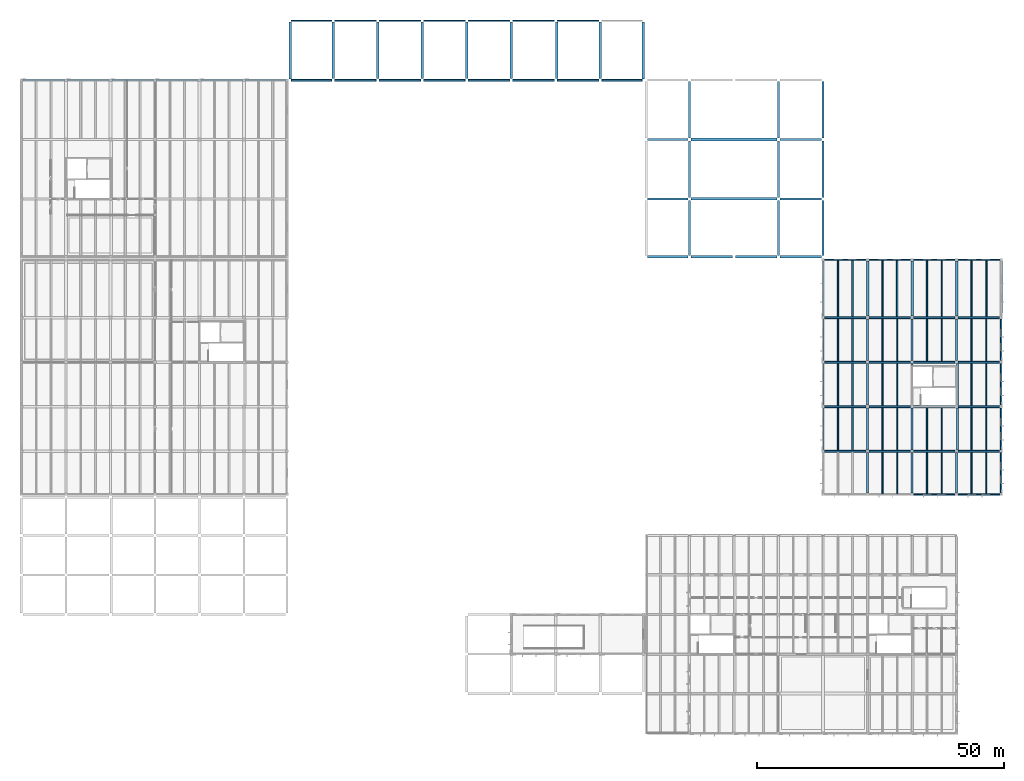
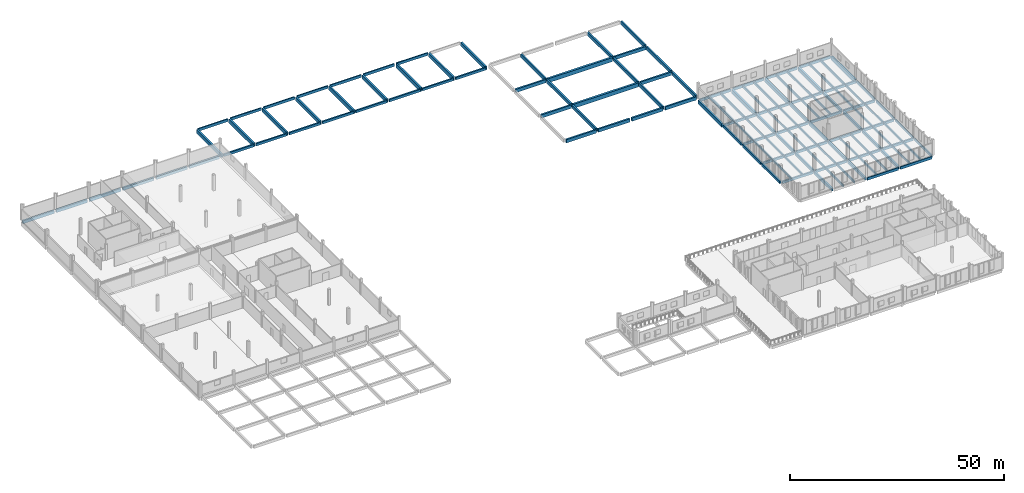
# One storey, part 6 of 25: 131 beams.
"""IFC4 building model written with IfcOpenShell, lengths in metres."""

from ifc_helpers import new_model, si_unit, direction, frame, origin, origin_2d, place, context, subcontext, project, spatial, rectangle, extrude, material, material_profile, profile_set, type_object, element, save


model = new_model("IFC4")

# Units and contexts
model_context = context("Model", 3, precision=1e-05, world=origin(), true_north=direction((0.0, 1.0)))
body_context = subcontext(model_context, "Body", "Model", "MODEL_VIEW")
ifc_project = project(units=[si_unit("LENGTHUNIT", "METRE"), si_unit("AREAUNIT", "SQUARE_METRE"), si_unit("VOLUMEUNIT", "CUBIC_METRE"), si_unit("PLANEANGLEUNIT", "RADIAN"), si_unit("MASSUNIT", "GRAM", prefix="KILO")], contexts=[model_context])

# Site, building, storey
site_placement = place(None, origin())
site = spatial("IfcSite", under=ifc_project, at=site_placement, CompositionType="ELEMENT")
building_placement = place(site_placement, origin())
building = spatial("IfcBuilding", under=site, at=building_placement, Name="Zacnel Wholesale Market", CompositionType="ELEMENT")
storey_placement = place(building_placement, frame((0.0, 0.0, 15.75)))
storey = spatial("IfcBuildingStorey", under=building, at=storey_placement, Name="L04", CompositionType="ELEMENT", Elevation=15.75)

# Beams
ifc_material_1 = material(Name="Precast concrete C45/55", Category="concrete")
ifc_material_profile_1 = material_profile(ifc_material_1, rectangle(XDim=0.280029296875, YDim=0.60009765625, at=origin_2d()), Name="DT RIB 280x600")
ifc_profile_set_1 = profile_set([ifc_material_profile_1], Name="Precast concrete C45/55")
beam_type_1 = type_object("IfcBeamType", Name="BM-DT600", PredefinedType="JOIST", material=ifc_profile_set_1)
for number, where, z_axis, x_axis, name in (
    (1, (192.0, 48.449951171875, -0.580078125), (0.0, 1.0, 0.0), (-1.0, 0.0, 0.0), "Precast secondary joist L04-0673"),
    (2, (195.0, 48.449951171875, -0.580078125), (0.0, 1.0, 0.0), (-1.0, 0.0, 0.0), "Precast secondary joist L04-0674"),
    (3, (201.0, 48.449951171875, -0.580078125), (0.0, 1.0, 0.0), (-1.0, 0.0, 0.0), "Precast secondary joist L04-0675"),
    (4, (204.0, 48.449951171875, -0.580078125), (0.0, 1.0, 0.0), (-1.0, 0.0, 0.0), "Precast secondary joist L04-0676"),
    (5, (210.0, 48.449951171875, -0.580078125), (0.0, 1.0, 0.0), (-1.0, 0.0, 0.0), "Precast secondary joist L04-0677"),
    (6, (213.0, 48.449951171875, -0.580078125), (0.0, 1.0, 0.0), (-1.0, 0.0, 0.0), "Precast secondary joist L04-0678"),
):
    element("IfcBeam", number, at=place(storey_placement, frame(where, z_axis=z_axis, x_axis=x_axis)), inside=storey, type_object=beam_type_1, Name=name, PredefinedType="JOIST", context=body_context, shape_type="SweptSolid", body=[
        extrude(rectangle(XDim=0.280029296875, YDim=0.60009765625, at=origin_2d()), origin(), (0.0, 0.0, 1.0), 8.35009765625),
    ])
for number, where, z_axis, x_axis, name in (
    (7, (183.0, 57.199951171875, -0.580078125), (0.0, 1.0, 0.0), (-1.0, 0.0, 0.0), "Precast secondary joist L04-0691"),
    (8, (186.0, 57.199951171875, -0.580078125), (0.0, 1.0, 0.0), (-1.0, 0.0, 0.0), "Precast secondary joist L04-0692"),
    (9, (192.0, 57.199951171875, -0.580078125), (0.0, 1.0, 0.0), (-1.0, 0.0, 0.0), "Precast secondary joist L04-0693"),
    (10, (195.0, 57.199951171875, -0.580078125), (0.0, 1.0, 0.0), (-1.0, 0.0, 0.0), "Precast secondary joist L04-0694"),
    (11, (201.0, 57.199951171875, -0.580078125), (0.0, 1.0, 0.0), (-1.0, 0.0, 0.0), "Precast secondary joist L04-0695"),
    (12, (204.0, 57.199951171875, -0.580078125), (0.0, 1.0, 0.0), (-1.0, 0.0, 0.0), "Precast secondary joist L04-0696"),
    (13, (210.0, 57.199951171875, -0.580078125), (0.0, 1.0, 0.0), (-1.0, 0.0, 0.0), "Precast secondary joist L04-0697"),
    (14, (213.0, 57.199951171875, -0.580078125), (0.0, 1.0, 0.0), (-1.0, 0.0, 0.0), "Precast secondary joist L04-0698"),
    (15, (183.0, 66.199951171875, -0.580078125), (0.0, 1.0, 0.0), (-1.0, 0.0, 0.0), "Precast secondary joist L04-0711"),
    (16, (186.0, 66.199951171875, -0.580078125), (0.0, 1.0, 0.0), (-1.0, 0.0, 0.0), "Precast secondary joist L04-0712"),
    (17, (192.0, 66.199951171875, -0.580078125), (0.0, 1.0, 0.0), (-1.0, 0.0, 0.0), "Precast secondary joist L04-0713"),
    (18, (195.0, 66.199951171875, -0.580078125), (0.0, 1.0, 0.0), (-1.0, 0.0, 0.0), "Precast secondary joist L04-0714"),
    (19, (210.0, 66.199951171875, -0.580078125), (0.0, 1.0, 0.0), (-1.0, 0.0, 0.0), "Precast secondary joist L04-0715"),
    (20, (213.0, 66.199951171875, -0.580078125), (0.0, 1.0, 0.0), (-1.0, 0.0, 0.0), "Precast secondary joist L04-0716"),
    (21, (183.0, 75.199951171875, -0.580078125), (0.0, 1.0, 0.0), (-1.0, 0.0, 0.0), "Precast secondary joist L04-0727"),
    (22, (186.0, 75.199951171875, -0.580078125), (0.0, 1.0, 0.0), (-1.0, 0.0, 0.0), "Precast secondary joist L04-0728"),
    (23, (192.0, 75.199951171875, -0.580078125), (0.0, 1.0, 0.0), (-1.0, 0.0, 0.0), "Precast secondary joist L04-0729"),
    (24, (195.0, 75.199951171875, -0.580078125), (0.0, 1.0, 0.0), (-1.0, 0.0, 0.0), "Precast secondary joist L04-0730"),
    (25, (201.0, 75.199951171875, -0.580078125), (0.0, 1.0, 0.0), (-1.0, 0.0, 0.0), "Precast secondary joist L04-0731"),
    (26, (204.0, 75.199951171875, -0.580078125), (0.0, 1.0, 0.0), (-1.0, 0.0, 0.0), "Precast secondary joist L04-0732"),
    (27, (210.0, 75.199951171875, -0.580078125), (0.0, 1.0, 0.0), (-1.0, 0.0, 0.0), "Precast secondary joist L04-0733"),
    (28, (213.0, 75.199951171875, -0.580078125), (0.0, 1.0, 0.0), (-1.0, 0.0, 0.0), "Precast secondary joist L04-0734"),
):
    element("IfcBeam", number, at=place(storey_placement, frame(where, z_axis=z_axis, x_axis=x_axis)), inside=storey, type_object=beam_type_1, Name=name, PredefinedType="JOIST", context=body_context, shape_type="SweptSolid", body=[
        extrude(rectangle(XDim=0.280029296875, YDim=0.60009765625, at=origin_2d()), origin(), (0.0, 0.0, 1.0), 8.60009765625),
    ])
ifc_material_2 = material(Name="Precast concrete C45/55", Category="concrete")
ifc_material_profile_2 = material_profile(ifc_material_2, rectangle(XDim=0.300048828125, YDim=0.699951171875, at=origin_2d()), Name="DT RIB 300x700")
ifc_profile_set_2 = profile_set([ifc_material_profile_2], Name="Precast concrete C45/55")
beam_type_2 = type_object("IfcBeamType", Name="BM-DT700", PredefinedType="JOIST", material=ifc_profile_set_2)
for number, where, z_axis, x_axis, name in (
    (29, (183.0, 84.199951171875, -0.6298828125), (0.0, 1.0, 0.0), (-1.0, 0.0, 0.0), "Precast secondary joist L04-0747"),
    (30, (186.0, 84.199951171875, -0.6298828125), (0.0, 1.0, 0.0), (-1.0, 0.0, 0.0), "Precast secondary joist L04-0748"),
    (31, (192.0, 84.199951171875, -0.6298828125), (0.0, 1.0, 0.0), (-1.0, 0.0, 0.0), "Precast secondary joist L04-0749"),
    (32, (195.0, 84.199951171875, -0.6298828125), (0.0, 1.0, 0.0), (-1.0, 0.0, 0.0), "Precast secondary joist L04-0750"),
    (33, (201.0, 84.199951171875, -0.6298828125), (0.0, 1.0, 0.0), (-1.0, 0.0, 0.0), "Precast secondary joist L04-0751"),
    (34, (204.0, 84.199951171875, -0.6298828125), (0.0, 1.0, 0.0), (-1.0, 0.0, 0.0), "Precast secondary joist L04-0752"),
    (35, (210.0, 84.199951171875, -0.6298828125), (0.0, 1.0, 0.0), (-1.0, 0.0, 0.0), "Precast secondary joist L04-0753"),
    (36, (213.0, 84.199951171875, -0.6298828125), (0.0, 1.0, 0.0), (-1.0, 0.0, 0.0), "Precast secondary joist L04-0754"),
):
    element("IfcBeam", number, at=place(storey_placement, frame(where, z_axis=z_axis, x_axis=x_axis)), inside=storey, type_object=beam_type_2, Name=name, PredefinedType="JOIST", context=body_context, shape_type="SweptSolid", body=[
        extrude(rectangle(XDim=0.300048828125, YDim=0.699951171875, at=origin_2d()), origin(), (0.0, 0.0, 1.0), 11.35009765625),
    ])
ifc_material_3 = material(Name="Precast concrete C45/55", Category="concrete")
ifc_material_profile_3 = material_profile(ifc_material_3, rectangle(XDim=0.5, YDim=1.050048828125, at=origin_2d()), Name="PG 500x1050")
ifc_profile_set_3 = profile_set([ifc_material_profile_3], Name="Precast concrete C45/55")
beam_type_3 = type_object("IfcBeamType", Name="BM-PG1050", PredefinedType="T_BEAM", material=ifc_profile_set_3)
beam_1_placement = place(storey_placement, frame((72.300048828125, 132.27490234375, -0.824951171875), z_axis=(0.0, 1.0, 0.0), x_axis=(-1.0, 0.0, 0.0)))
element("IfcBeam", 37, at=beam_1_placement, inside=storey, type_object=beam_type_3, Name="Precast girder Y-1252", PredefinedType="T_BEAM", context=body_context, shape_type="SweptSolid", body=[
    extrude(rectangle(XDim=0.5, YDim=1.050048828125, at=origin_2d()), origin(), (0.0, 0.0, 1.0), 11.4501953125),
])
for number, where, z_axis, x_axis, name in (
    (38, (81.0, 132.300048828125, -0.824951171875), (0.0, 1.0, 0.0), (-1.0, 0.0, 0.0), "Precast girder Y-1253"),
    (39, (90.0, 132.300048828125, -0.824951171875), (0.0, 1.0, 0.0), (-1.0, 0.0, 0.0), "Precast girder Y-1254"),
    (40, (99.0, 132.300048828125, -0.824951171875), (0.0, 1.0, 0.0), (-1.0, 0.0, 0.0), "Precast girder Y-1255"),
    (41, (108.0, 132.300048828125, -0.824951171875), (0.0, 1.0, 0.0), (-1.0, 0.0, 0.0), "Precast girder Y-1256"),
    (42, (117.0, 132.300048828125, -0.824951171875), (0.0, 1.0, 0.0), (-1.0, 0.0, 0.0), "Precast girder Y-1257"),
    (43, (126.179931640625, 132.300048828125, -0.824951171875), (0.0, 1.0, 0.0), (-1.0, 0.0, 0.0), "Precast girder Y-1258"),
    (44, (135.0, 132.300048828125, -0.824951171875), (0.0, 1.0, 0.0), (-1.0, 0.0, 0.0), "Precast girder Y-1259"),
):
    element("IfcBeam", number, at=place(storey_placement, frame(where, z_axis=z_axis, x_axis=x_axis)), inside=storey, type_object=beam_type_3, Name=name, PredefinedType="T_BEAM", context=body_context, shape_type="SweptSolid", body=[
        extrude(rectangle(XDim=0.5, YDim=1.050048828125, at=origin_2d()), origin(), (0.0, 0.0, 1.0), 11.39990234375),
    ])
beam_2_placement = place(storey_placement, frame((143.699951171875, 132.27490234375, -0.824951171875), z_axis=(0.0, 1.0, 0.0), x_axis=(-1.0, 0.0, 0.0)))
element("IfcBeam", 45, at=beam_2_placement, inside=storey, type_object=beam_type_3, Name="Precast girder Y-1260", PredefinedType="T_BEAM", context=body_context, shape_type="SweptSolid", body=[
    extrude(rectangle(XDim=0.5, YDim=1.050048828125, at=origin_2d()), origin(), (0.0, 0.0, 1.0), 11.4501953125),
])
for number, where, z_axis, x_axis, name in (
    (46, (180.0, 84.300048828125, -0.804931640625), (0.0, 1.0, 0.0), (-1.0, 0.0, 0.0), "Precast girder Y-1289"),
    (47, (189.0, 84.300048828125, -0.804931640625), (0.0, 1.0, 0.0), (-1.0, 0.0, 0.0), "Precast girder Y-1299"),
    (48, (198.0, 84.300048828125, -0.804931640625), (0.0, 1.0, 0.0), (-1.0, 0.0, 0.0), "Precast girder Y-1309"),
    (49, (207.0, 84.300048828125, -0.804931640625), (0.0, 1.0, 0.0), (-1.0, 0.0, 0.0), "Precast girder Y-1319"),
    (50, (216.0, 84.300048828125, -0.804931640625), (0.0, 1.0, 0.0), (-1.0, 0.0, 0.0), "Precast girder Y-1324"),
):
    element("IfcBeam", number, at=place(storey_placement, frame(where, z_axis=z_axis, x_axis=x_axis)), inside=storey, type_object=beam_type_3, Name=name, PredefinedType="T_BEAM", context=body_context, shape_type="SweptSolid", body=[
        extrude(rectangle(XDim=0.5, YDim=1.050048828125, at=origin_2d()), origin(), (0.0, 0.0, 1.0), 11.125),
    ])
ifc_material_4 = material(Name="Precast concrete C45/55", Category="concrete")
ifc_material_profile_4 = material_profile(ifc_material_4, rectangle(XDim=0.550048828125, YDim=1.14990234375, at=origin_2d()), Name="PG 550x1150")
ifc_profile_set_4 = profile_set([ifc_material_profile_4], Name="Precast concrete C45/55")
beam_type_4 = type_object("IfcBeamType", Name="BM-PG1150", PredefinedType="T_BEAM", material=ifc_profile_set_4)
for number, where, z_axis, x_axis, name in (
    (51, (153.280029296875, 108.0, -0.22509765625), (1.0, 0.0, 0.0), (0.0, 1.0, 0.0), "Crossing drum collar girder X-06"),
    (52, (153.280029296875, 120.0, -0.22509765625), (1.0, 0.0, 0.0), (0.0, 1.0, 0.0), "Crossing drum collar girder X-09"),
):
    element("IfcBeam", number, at=place(storey_placement, frame(where, z_axis=z_axis, x_axis=x_axis)), inside=storey, type_object=beam_type_4, Name=name, PredefinedType="T_BEAM", context=body_context, shape_type="SweptSolid", body=[
        extrude(rectangle(XDim=0.550048828125, YDim=1.14990234375, at=origin_2d()), origin(), (0.0, 0.0, 1.0), 17.43994140625),
    ])
ifc_material_5 = material(Name="Precast concrete C45/55", Category="concrete")
ifc_material_profile_5 = material_profile(ifc_material_5, rectangle(XDim=0.39990234375, YDim=0.699951171875, at=origin_2d()), Name="PG 400x700")
ifc_profile_set_5 = profile_set([ifc_material_profile_5], Name="Precast concrete C45/55")
beam_type_5 = type_object("IfcBeamType", Name="BM-PG700", PredefinedType="BEAM", material=ifc_profile_set_5)
for number, where, z_axis, x_axis, name in (
    (53, (180.300048828125, 57.0, -0.6298828125), (1.0, 0.0, 0.0), (0.0, 1.0, 0.0), "Precast girder X-1091"),
    (54, (189.300048828125, 57.0, -0.6298828125), (1.0, 0.0, 0.0), (0.0, 1.0, 0.0), "Precast girder X-1092"),
    (55, (198.300048828125, 57.0, -0.6298828125), (1.0, 0.0, 0.0), (0.0, 1.0, 0.0), "Precast girder X-1093"),
    (56, (207.300048828125, 57.0, -0.6298828125), (1.0, 0.0, 0.0), (0.0, 1.0, 0.0), "Precast girder X-1094"),
    (57, (180.300048828125, 66.0, -0.6298828125), (1.0, 0.0, 0.0), (0.0, 1.0, 0.0), "Precast girder X-1101"),
    (58, (189.300048828125, 66.0, -0.6298828125), (1.0, 0.0, 0.0), (0.0, 1.0, 0.0), "Precast girder X-1102"),
    (59, (198.300048828125, 66.0, -0.6298828125), (1.0, 0.0, 0.0), (0.0, 1.0, 0.0), "Precast girder X-1103"),
    (60, (207.300048828125, 66.0, -0.6298828125), (1.0, 0.0, 0.0), (0.0, 1.0, 0.0), "Precast girder X-1104"),
    (61, (180.300048828125, 75.0, -0.6298828125), (1.0, 0.0, 0.0), (0.0, 1.0, 0.0), "Precast girder X-1111"),
    (62, (189.300048828125, 75.0, -0.6298828125), (1.0, 0.0, 0.0), (0.0, 1.0, 0.0), "Precast girder X-1112"),
    (63, (198.300048828125, 75.0, -0.6298828125), (1.0, 0.0, 0.0), (0.0, 1.0, 0.0), "Precast girder X-1113"),
    (64, (207.300048828125, 75.0, -0.6298828125), (1.0, 0.0, 0.0), (0.0, 1.0, 0.0), "Precast girder X-1114"),
    (65, (180.300048828125, 84.0, -0.6298828125), (1.0, 0.0, 0.0), (0.0, 1.0, 0.0), "Precast girder X-1121"),
    (66, (189.300048828125, 84.0, -0.6298828125), (1.0, 0.0, 0.0), (0.0, 1.0, 0.0), "Precast girder X-1122"),
    (67, (198.300048828125, 84.0, -0.6298828125), (1.0, 0.0, 0.0), (0.0, 1.0, 0.0), "Precast girder X-1123"),
    (68, (207.300048828125, 84.0, -0.6298828125), (1.0, 0.0, 0.0), (0.0, 1.0, 0.0), "Precast girder X-1124"),
):
    element("IfcBeam", number, at=place(storey_placement, frame(where, z_axis=z_axis, x_axis=x_axis)), inside=storey, type_object=beam_type_5, Name=name, PredefinedType="BEAM", context=body_context, shape_type="SweptSolid", body=[
        extrude(rectangle(XDim=0.39990234375, YDim=0.699951171875, at=origin_2d()), origin(), (0.0, 0.0, 1.0), 8.39990234375),
    ])
beam_3_placement = place(storey_placement, frame((72.574951171875, 132.0, -0.64990234375), z_axis=(1.0, 0.0, 0.0), x_axis=(0.0, 1.0, 0.0)))
element("IfcBeam", 69, at=beam_3_placement, inside=storey, type_object=beam_type_5, Name="Precast girder X-1159", PredefinedType="BEAM", context=body_context, shape_type="SweptSolid", body=[
    extrude(rectangle(XDim=0.39990234375, YDim=0.699951171875, at=origin_2d()), origin(), (0.0, 0.0, 1.0), 8.125),
])
for number, where, z_axis, x_axis, name in (
    (70, (81.300048828125, 132.0, -0.64990234375), (1.0, 0.0, 0.0), (0.0, 1.0, 0.0), "Precast girder X-1160"),
    (71, (90.300048828125, 132.0, -0.64990234375), (1.0, 0.0, 0.0), (0.0, 1.0, 0.0), "Precast girder X-1161"),
    (72, (99.300048828125, 132.0, -0.64990234375), (1.0, 0.0, 0.0), (0.0, 1.0, 0.0), "Precast girder X-1162"),
    (73, (108.300048828125, 132.0, -0.64990234375), (1.0, 0.0, 0.0), (0.0, 1.0, 0.0), "Precast girder X-1163"),
    (74, (117.300048828125, 132.0, -0.64990234375), (1.0, 0.0, 0.0), (0.0, 1.0, 0.0), "Precast girder X-1164"),
    (75, (126.300048828125, 132.0, -0.64990234375), (1.0, 0.0, 0.0), (0.0, 1.0, 0.0), "Precast girder X-1165"),
):
    element("IfcBeam", number, at=place(storey_placement, frame(where, z_axis=z_axis, x_axis=x_axis)), inside=storey, type_object=beam_type_5, Name=name, PredefinedType="BEAM", context=body_context, shape_type="SweptSolid", body=[
        extrude(rectangle(XDim=0.39990234375, YDim=0.699951171875, at=origin_2d()), origin(), (0.0, 0.0, 1.0), 8.39990234375),
    ])
beam_4_placement = place(storey_placement, frame((135.300048828125, 132.0, -0.64990234375), z_axis=(1.0, 0.0, 0.0), x_axis=(0.0, 1.0, 0.0)))
element("IfcBeam", 76, at=beam_4_placement, inside=storey, type_object=beam_type_5, Name="Precast girder X-1166", PredefinedType="BEAM", context=body_context, shape_type="SweptSolid", body=[
    extrude(rectangle(XDim=0.39990234375, YDim=0.699951171875, at=origin_2d()), origin(), (0.0, 0.0, 1.0), 8.125),
])
ifc_material_6 = material(Name="Precast concrete C45/55", Category="concrete")
ifc_material_profile_6 = material_profile(ifc_material_6, rectangle(XDim=0.449951171875, YDim=0.800048828125, at=origin_2d()), Name="PG 450x800")
ifc_profile_set_6 = profile_set([ifc_material_profile_6], Name="Precast concrete C45/55")
beam_type_6 = type_object("IfcBeamType", Name="BM-PG800", PredefinedType="BEAM", material=ifc_profile_set_6)
for number, where, z_axis, x_axis, name in (
    (77, (180.0, 57.300048828125, -0.679931640625), (0.0, 1.0, 0.0), (-1.0, 0.0, 0.0), "Precast girder Y-1286"),
    (78, (180.0, 66.300048828125, -0.679931640625), (0.0, 1.0, 0.0), (-1.0, 0.0, 0.0), "Precast girder Y-1287"),
    (79, (180.0, 75.300048828125, -0.679931640625), (0.0, 1.0, 0.0), (-1.0, 0.0, 0.0), "Precast girder Y-1288"),
):
    element("IfcBeam", number, at=place(storey_placement, frame(where, z_axis=z_axis, x_axis=x_axis)), inside=storey, type_object=beam_type_6, Name=name, PredefinedType="BEAM", context=body_context, shape_type="SweptSolid", body=[
        extrude(rectangle(XDim=0.449951171875, YDim=0.800048828125, at=origin_2d()), origin(), (0.0, 0.0, 1.0), 8.39990234375),
    ])
beam_5_placement = place(storey_placement, frame((189.0, 48.574951171875, -0.679931640625), z_axis=(0.0, 1.0, 0.0), x_axis=(-1.0, 0.0, 0.0)))
element("IfcBeam", 80, at=beam_5_placement, inside=storey, type_object=beam_type_6, Name="Precast girder Y-1295", PredefinedType="BEAM", context=body_context, shape_type="SweptSolid", body=[
    extrude(rectangle(XDim=0.449951171875, YDim=0.800048828125, at=origin_2d()), origin(), (0.0, 0.0, 1.0), 8.125),
])
for number, where, z_axis, x_axis, name in (
    (81, (189.0, 57.300048828125, -0.679931640625), (0.0, 1.0, 0.0), (-1.0, 0.0, 0.0), "Precast girder Y-1296"),
    (82, (189.0, 66.300048828125, -0.679931640625), (0.0, 1.0, 0.0), (-1.0, 0.0, 0.0), "Precast girder Y-1297"),
    (83, (189.0, 75.300048828125, -0.679931640625), (0.0, 1.0, 0.0), (-1.0, 0.0, 0.0), "Precast girder Y-1298"),
):
    element("IfcBeam", number, at=place(storey_placement, frame(where, z_axis=z_axis, x_axis=x_axis)), inside=storey, type_object=beam_type_6, Name=name, PredefinedType="BEAM", context=body_context, shape_type="SweptSolid", body=[
        extrude(rectangle(XDim=0.449951171875, YDim=0.800048828125, at=origin_2d()), origin(), (0.0, 0.0, 1.0), 8.39990234375),
    ])
beam_6_placement = place(storey_placement, frame((198.0, 48.574951171875, -0.679931640625), z_axis=(0.0, 1.0, 0.0), x_axis=(-1.0, 0.0, 0.0)))
element("IfcBeam", 84, at=beam_6_placement, inside=storey, type_object=beam_type_6, Name="Precast girder Y-1305", PredefinedType="BEAM", context=body_context, shape_type="SweptSolid", body=[
    extrude(rectangle(XDim=0.449951171875, YDim=0.800048828125, at=origin_2d()), origin(), (0.0, 0.0, 1.0), 8.125),
])
for number, where, z_axis, x_axis, name in (
    (85, (198.0, 57.300048828125, -0.679931640625), (0.0, 1.0, 0.0), (-1.0, 0.0, 0.0), "Precast girder Y-1306"),
    (86, (198.0, 66.300048828125, -0.679931640625), (0.0, 1.0, 0.0), (-1.0, 0.0, 0.0), "Precast girder Y-1307"),
    (87, (198.0, 75.300048828125, -0.679931640625), (0.0, 1.0, 0.0), (-1.0, 0.0, 0.0), "Precast girder Y-1308"),
):
    element("IfcBeam", number, at=place(storey_placement, frame(where, z_axis=z_axis, x_axis=x_axis)), inside=storey, type_object=beam_type_6, Name=name, PredefinedType="BEAM", context=body_context, shape_type="SweptSolid", body=[
        extrude(rectangle(XDim=0.449951171875, YDim=0.800048828125, at=origin_2d()), origin(), (0.0, 0.0, 1.0), 8.39990234375),
    ])
beam_7_placement = place(storey_placement, frame((207.0, 48.574951171875, -0.679931640625), z_axis=(0.0, 1.0, 0.0), x_axis=(-1.0, 0.0, 0.0)))
element("IfcBeam", 88, at=beam_7_placement, inside=storey, type_object=beam_type_6, Name="Precast girder Y-1315", PredefinedType="BEAM", context=body_context, shape_type="SweptSolid", body=[
    extrude(rectangle(XDim=0.449951171875, YDim=0.800048828125, at=origin_2d()), origin(), (0.0, 0.0, 1.0), 8.125),
])
for number, where, z_axis, x_axis, name in (
    (89, (207.179931640625, 57.300048828125, -0.679931640625), (0.0, 1.0, 0.0), (-1.0, 0.0, 0.0), "Precast girder Y-1316"),
    (90, (207.179931640625, 66.300048828125, -0.679931640625), (0.0, 1.0, 0.0), (-1.0, 0.0, 0.0), "Precast girder Y-1317"),
    (91, (207.0, 75.300048828125, -0.679931640625), (0.0, 1.0, 0.0), (-1.0, 0.0, 0.0), "Precast girder Y-1318"),
):
    element("IfcBeam", number, at=place(storey_placement, frame(where, z_axis=z_axis, x_axis=x_axis)), inside=storey, type_object=beam_type_6, Name=name, PredefinedType="BEAM", context=body_context, shape_type="SweptSolid", body=[
        extrude(rectangle(XDim=0.449951171875, YDim=0.800048828125, at=origin_2d()), origin(), (0.0, 0.0, 1.0), 8.39990234375),
    ])
ifc_material_7 = material(Name="Precast concrete C45/55", Category="concrete")
ifc_material_profile_7 = material_profile(ifc_material_7, rectangle(XDim=0.449951171875, YDim=0.85009765625, at=origin_2d()), Name="PG 450x850")
ifc_profile_set_7 = profile_set([ifc_material_profile_7], Name="Precast concrete C45/55")
beam_type_7 = type_object("IfcBeamType", Name="BM-PG850", PredefinedType="BEAM", material=ifc_profile_set_7)
for number, where, z_axis, x_axis, name in (
    (92, (18.300048828125, 132.0, -0.705078125), (1.0, 0.0, 0.0), (0.0, 1.0, 0.0), "Precast girder X-1153"),
    (93, (27.300048828125, 132.0, -0.705078125), (1.0, 0.0, 0.0), (0.0, 1.0, 0.0), "Precast girder X-1154"),
    (94, (36.300048828125, 132.0, -0.705078125), (1.0, 0.0, 0.0), (0.0, 1.0, 0.0), "Precast girder X-1155"),
    (95, (45.300048828125, 132.0, -0.705078125), (1.0, 0.0, 0.0), (0.0, 1.0, 0.0), "Precast girder X-1156"),
    (96, (54.300048828125, 132.0, -0.705078125), (1.0, 0.0, 0.0), (0.0, 1.0, 0.0), "Precast girder X-1157"),
):
    element("IfcBeam", number, at=place(storey_placement, frame(where, z_axis=z_axis, x_axis=x_axis)), inside=storey, type_object=beam_type_7, Name=name, PredefinedType="BEAM", context=body_context, shape_type="SweptSolid", body=[
        extrude(rectangle(XDim=0.449951171875, YDim=0.85009765625, at=origin_2d()), origin(), (0.0, 0.0, 1.0), 8.39990234375),
    ])
beam_8_placement = place(storey_placement, frame((63.300048828125, 132.0, -0.705078125), z_axis=(1.0, 0.0, 0.0), x_axis=(0.0, 1.0, 0.0)))
element("IfcBeam", 97, at=beam_8_placement, inside=storey, type_object=beam_type_7, Name="Precast girder X-1158", PredefinedType="BEAM", context=body_context, shape_type="SweptSolid", body=[
    extrude(rectangle(XDim=0.449951171875, YDim=0.85009765625, at=origin_2d()), origin(), (0.0, 0.0, 1.0), 8.125),
])
ifc_material_8 = material(Name="Precast concrete C45/55", Category="concrete")
ifc_material_profile_8 = material_profile(ifc_material_8, rectangle(XDim=0.449951171875, YDim=0.949951171875, at=origin_2d()), Name="PG 450x950")
ifc_profile_set_8 = profile_set([ifc_material_profile_8], Name="Precast concrete C45/55")
beam_type_8 = type_object("IfcBeamType", Name="BM-PG950", PredefinedType="BEAM", material=ifc_profile_set_8)
beam_9_placement = place(storey_placement, frame((144.580078125, 96.300048828125, -0.125), z_axis=(1.0, 0.0, 0.0), x_axis=(0.0, 1.0, 0.0)))
element("IfcBeam", 98, at=beam_9_placement, inside=storey, type_object=beam_type_8, Name="Crossing drum collar girder X-01", PredefinedType="BEAM", context=body_context, shape_type="SweptSolid", body=[
    extrude(rectangle(XDim=0.449951171875, YDim=0.949951171875, at=origin_2d()), origin(), (0.0, 0.0, 1.0), 8.139892578125),
])
for number, where, z_axis, x_axis, name in (
    (99, (153.280029296875, 96.300048828125, -0.125), (1.0, 0.0, 0.0), (0.0, 1.0, 0.0), "Crossing drum collar girder X-02"),
    (100, (162.280029296875, 96.300048828125, -0.125), (1.0, 0.0, 0.0), (0.0, 1.0, 0.0), "Crossing drum collar girder X-03"),
    (101, (171.280029296875, 96.300048828125, -0.125), (1.0, 0.0, 0.0), (0.0, 1.0, 0.0), "Crossing drum collar girder X-04"),
):
    element("IfcBeam", number, at=place(storey_placement, frame(where, z_axis=z_axis, x_axis=x_axis)), inside=storey, type_object=beam_type_8, Name=name, PredefinedType="BEAM", context=body_context, shape_type="SweptSolid", body=[
        extrude(rectangle(XDim=0.449951171875, YDim=0.949951171875, at=origin_2d()), origin(), (0.0, 0.0, 1.0), 8.43994140625),
    ])
beam_10_placement = place(storey_placement, frame((144.580078125, 108.0, -0.125), z_axis=(1.0, 0.0, 0.0), x_axis=(0.0, 1.0, 0.0)))
element("IfcBeam", 102, at=beam_10_placement, inside=storey, type_object=beam_type_8, Name="Crossing drum collar girder X-05", PredefinedType="BEAM", context=body_context, shape_type="SweptSolid", body=[
    extrude(rectangle(XDim=0.449951171875, YDim=0.949951171875, at=origin_2d()), origin(), (0.0, 0.0, 1.0), 8.139892578125),
])
beam_11_placement = place(storey_placement, frame((171.280029296875, 108.0, -0.125), z_axis=(1.0, 0.0, 0.0), x_axis=(0.0, 1.0, 0.0)))
element("IfcBeam", 103, at=beam_11_placement, inside=storey, type_object=beam_type_8, Name="Crossing drum collar girder X-07", PredefinedType="BEAM", context=body_context, shape_type="SweptSolid", body=[
    extrude(rectangle(XDim=0.449951171875, YDim=0.949951171875, at=origin_2d()), origin(), (0.0, 0.0, 1.0), 8.43994140625),
])
beam_12_placement = place(storey_placement, frame((144.580078125, 120.0, -0.125), z_axis=(1.0, 0.0, 0.0), x_axis=(0.0, 1.0, 0.0)))
element("IfcBeam", 104, at=beam_12_placement, inside=storey, type_object=beam_type_8, Name="Crossing drum collar girder X-08", PredefinedType="BEAM", context=body_context, shape_type="SweptSolid", body=[
    extrude(rectangle(XDim=0.449951171875, YDim=0.949951171875, at=origin_2d()), origin(), (0.0, 0.0, 1.0), 8.139892578125),
])
beam_13_placement = place(storey_placement, frame((171.280029296875, 120.0, -0.125), z_axis=(1.0, 0.0, 0.0), x_axis=(0.0, 1.0, 0.0)))
element("IfcBeam", 105, at=beam_13_placement, inside=storey, type_object=beam_type_8, Name="Crossing drum collar girder X-10", PredefinedType="BEAM", context=body_context, shape_type="SweptSolid", body=[
    extrude(rectangle(XDim=0.449951171875, YDim=0.949951171875, at=origin_2d()), origin(), (0.0, 0.0, 1.0), 8.43994140625),
])
beam_14_placement = place(storey_placement, frame((153.0, 96.580078125, -0.125), z_axis=(0.0, 1.0, 0.0), x_axis=(-1.0, 0.0, 0.0)))
element("IfcBeam", 106, at=beam_14_placement, inside=storey, type_object=beam_type_8, Name="Crossing drum collar girder Y-18", PredefinedType="BEAM", context=body_context, shape_type="SweptSolid", body=[
    extrude(rectangle(XDim=0.449951171875, YDim=0.949951171875, at=origin_2d()), origin(), (0.0, 0.0, 1.0), 11.139892578125),
])
for number, where, z_axis, x_axis, name in (
    (107, (153.0, 108.280029296875, -0.125), (0.0, 1.0, 0.0), (-1.0, 0.0, 0.0), "Crossing drum collar girder Y-19"),
    (108, (153.0, 120.280029296875, -0.125), (0.0, 1.0, 0.0), (-1.0, 0.0, 0.0), "Crossing drum collar girder Y-20"),
):
    element("IfcBeam", number, at=place(storey_placement, frame(where, z_axis=z_axis, x_axis=x_axis)), inside=storey, type_object=beam_type_8, Name=name, PredefinedType="BEAM", context=body_context, shape_type="SweptSolid", body=[
        extrude(rectangle(XDim=0.449951171875, YDim=0.949951171875, at=origin_2d()), origin(), (0.0, 0.0, 1.0), 11.43994140625),
    ])
beam_15_placement = place(storey_placement, frame((171.0, 96.580078125, -0.125), z_axis=(0.0, 1.0, 0.0), x_axis=(-1.0, 0.0, 0.0)))
element("IfcBeam", 109, at=beam_15_placement, inside=storey, type_object=beam_type_8, Name="Crossing drum collar girder Y-21", PredefinedType="BEAM", context=body_context, shape_type="SweptSolid", body=[
    extrude(rectangle(XDim=0.449951171875, YDim=0.949951171875, at=origin_2d()), origin(), (0.0, 0.0, 1.0), 11.139892578125),
])
for number, where, z_axis, x_axis, name in (
    (110, (171.0, 108.280029296875, -0.125), (0.0, 1.0, 0.0), (-1.0, 0.0, 0.0), "Crossing drum collar girder Y-22"),
    (111, (171.0, 120.280029296875, -0.125), (0.0, 1.0, 0.0), (-1.0, 0.0, 0.0), "Crossing drum collar girder Y-23"),
):
    element("IfcBeam", number, at=place(storey_placement, frame(where, z_axis=z_axis, x_axis=x_axis)), inside=storey, type_object=beam_type_8, Name=name, PredefinedType="BEAM", context=body_context, shape_type="SweptSolid", body=[
        extrude(rectangle(XDim=0.449951171875, YDim=0.949951171875, at=origin_2d()), origin(), (0.0, 0.0, 1.0), 11.43994140625),
    ])
beam_16_placement = place(storey_placement, frame((180.0, 96.580078125, -0.125), z_axis=(0.0, 1.0, 0.0), x_axis=(-1.0, 0.0, 0.0)))
element("IfcBeam", 112, at=beam_16_placement, inside=storey, type_object=beam_type_8, Name="Crossing drum collar girder Y-24", PredefinedType="BEAM", context=body_context, shape_type="SweptSolid", body=[
    extrude(rectangle(XDim=0.449951171875, YDim=0.949951171875, at=origin_2d()), origin(), (0.0, 0.0, 1.0), 11.139892578125),
])
for number, where, z_axis, x_axis, name in (
    (113, (180.0, 108.280029296875, -0.125), (0.0, 1.0, 0.0), (-1.0, 0.0, 0.0), "Crossing drum collar girder Y-25"),
    (114, (180.0, 120.280029296875, -0.125), (0.0, 1.0, 0.0), (-1.0, 0.0, 0.0), "Crossing drum collar girder Y-26"),
):
    element("IfcBeam", number, at=place(storey_placement, frame(where, z_axis=z_axis, x_axis=x_axis)), inside=storey, type_object=beam_type_8, Name=name, PredefinedType="BEAM", context=body_context, shape_type="SweptSolid", body=[
        extrude(rectangle(XDim=0.449951171875, YDim=0.949951171875, at=origin_2d()), origin(), (0.0, 0.0, 1.0), 11.43994140625),
    ])
ifc_material_9 = material(Name="Precast concrete C45/55", Category="concrete")
ifc_material_profile_9 = material_profile(ifc_material_9, rectangle(XDim=0.280029296875, YDim=0.679931640625, at=origin_2d()), Name="SP 280x680")
ifc_profile_set_9 = profile_set([ifc_material_profile_9], Name="Precast concrete C45/55")
beam_type_9 = type_object("IfcBeamType", Name="BM-SP680", PredefinedType="SPANDREL", material=ifc_profile_set_9)
beam_17_placement = place(storey_placement, frame((216.0, 48.574951171875, -0.6201171875), z_axis=(0.0, 1.0, 0.0), x_axis=(-1.0, 0.0, 0.0)))
element("IfcBeam", 115, at=beam_17_placement, inside=storey, type_object=beam_type_9, Name="Precast girder Y-1320", PredefinedType="SPANDREL", context=body_context, shape_type="SweptSolid", body=[
    extrude(rectangle(XDim=0.280029296875, YDim=0.679931640625, at=origin_2d()), origin(), (0.0, 0.0, 1.0), 8.125),
])
for number, where, z_axis, x_axis, name in (
    (116, (216.0, 57.300048828125, -0.6201171875), (0.0, 1.0, 0.0), (-1.0, 0.0, 0.0), "Precast girder Y-1321"),
    (117, (216.0, 66.300048828125, -0.6201171875), (0.0, 1.0, 0.0), (-1.0, 0.0, 0.0), "Precast girder Y-1322"),
    (118, (216.0, 75.300048828125, -0.6201171875), (0.0, 1.0, 0.0), (-1.0, 0.0, 0.0), "Precast girder Y-1323"),
):
    element("IfcBeam", number, at=place(storey_placement, frame(where, z_axis=z_axis, x_axis=x_axis)), inside=storey, type_object=beam_type_9, Name=name, PredefinedType="SPANDREL", context=body_context, shape_type="SweptSolid", body=[
        extrude(rectangle(XDim=0.280029296875, YDim=0.679931640625, at=origin_2d()), origin(), (0.0, 0.0, 1.0), 8.39990234375),
    ])
ifc_material_10 = material(Name="Precast concrete C45/55", Category="concrete")
ifc_material_profile_10 = material_profile(ifc_material_10, rectangle(XDim=0.300048828125, YDim=0.75, at=origin_2d()), Name="SP 300x750")
ifc_profile_set_10 = profile_set([ifc_material_profile_10], Name="Precast concrete C45/55")
beam_type_10 = type_object("IfcBeamType", Name="BM-SP750", PredefinedType="SPANDREL", material=ifc_profile_set_10)
for number, where, z_axis, x_axis, name in (
    (119, (198.27490234375, 48.300048828125, -0.655029296875), (1.0, 0.0, 0.0), (0.0, 1.0, 0.0), "Precast girder X-1083"),
    (120, (207.27490234375, 48.300048828125, -0.655029296875), (1.0, 0.0, 0.0), (0.0, 1.0, 0.0), "Precast girder X-1084"),
    (121, (180.27490234375, 95.699951171875, -0.655029296875), (1.0, 0.0, 0.0), (0.0, 1.0, 0.0), "Precast girder X-1131"),
    (122, (189.27490234375, 95.699951171875, -0.655029296875), (1.0, 0.0, 0.0), (0.0, 1.0, 0.0), "Precast girder X-1132"),
    (123, (198.27490234375, 95.699951171875, -0.655029296875), (1.0, 0.0, 0.0), (0.0, 1.0, 0.0), "Precast girder X-1133"),
    (124, (207.27490234375, 95.699951171875, -0.655029296875), (1.0, 0.0, 0.0), (0.0, 1.0, 0.0), "Precast girder X-1134"),
):
    element("IfcBeam", number, at=place(storey_placement, frame(where, z_axis=z_axis, x_axis=x_axis)), inside=storey, type_object=beam_type_10, Name=name, PredefinedType="SPANDREL", context=body_context, shape_type="SweptSolid", body=[
        extrude(rectangle(XDim=0.300048828125, YDim=0.75, at=origin_2d()), origin(), (0.0, 0.0, 1.0), 8.4501953125),
    ])
beam_18_placement = place(storey_placement, frame((72.574951171875, 144.0, -0.675048828125), z_axis=(1.0, 0.0, 0.0), x_axis=(0.0, 1.0, 0.0)))
element("IfcBeam", 125, at=beam_18_placement, inside=storey, type_object=beam_type_10, Name="Precast girder X-1167", PredefinedType="SPANDREL", context=body_context, shape_type="SweptSolid", body=[
    extrude(rectangle(XDim=0.300048828125, YDim=0.75, at=origin_2d()), origin(), (0.0, 0.0, 1.0), 8.125),
])
for number, where, z_axis, x_axis, name in (
    (126, (81.300048828125, 144.0, -0.675048828125), (1.0, 0.0, 0.0), (0.0, 1.0, 0.0), "Precast girder X-1168"),
    (127, (90.300048828125, 144.0, -0.675048828125), (1.0, 0.0, 0.0), (0.0, 1.0, 0.0), "Precast girder X-1169"),
    (128, (99.300048828125, 144.0, -0.675048828125), (1.0, 0.0, 0.0), (0.0, 1.0, 0.0), "Precast girder X-1170"),
    (129, (108.300048828125, 144.0, -0.675048828125), (1.0, 0.0, 0.0), (0.0, 1.0, 0.0), "Precast girder X-1171"),
    (130, (117.300048828125, 144.0, -0.675048828125), (1.0, 0.0, 0.0), (0.0, 1.0, 0.0), "Precast girder X-1172"),
    (131, (126.300048828125, 144.0, -0.675048828125), (1.0, 0.0, 0.0), (0.0, 1.0, 0.0), "Precast girder X-1173"),
):
    element("IfcBeam", number, at=place(storey_placement, frame(where, z_axis=z_axis, x_axis=x_axis)), inside=storey, type_object=beam_type_10, Name=name, PredefinedType="SPANDREL", context=body_context, shape_type="SweptSolid", body=[
        extrude(rectangle(XDim=0.300048828125, YDim=0.75, at=origin_2d()), origin(), (0.0, 0.0, 1.0), 8.39990234375),
    ])

save(model, "model.ifc")
